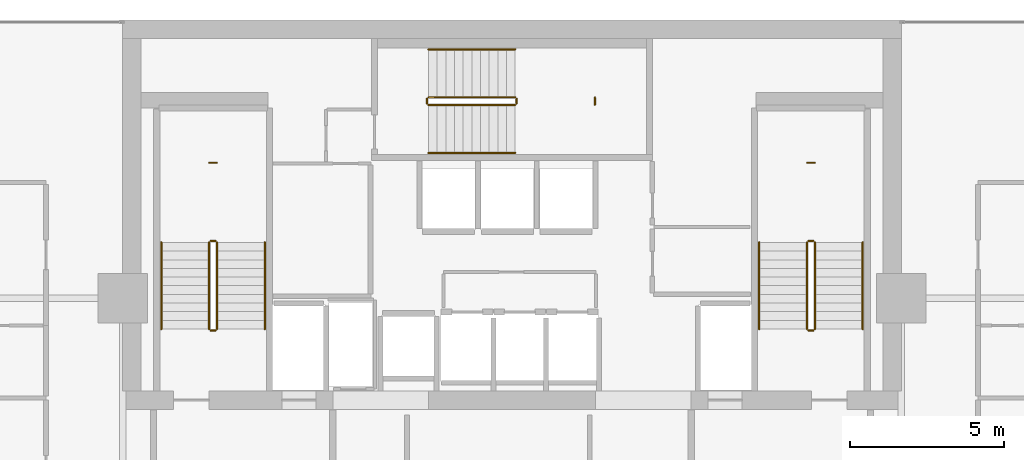
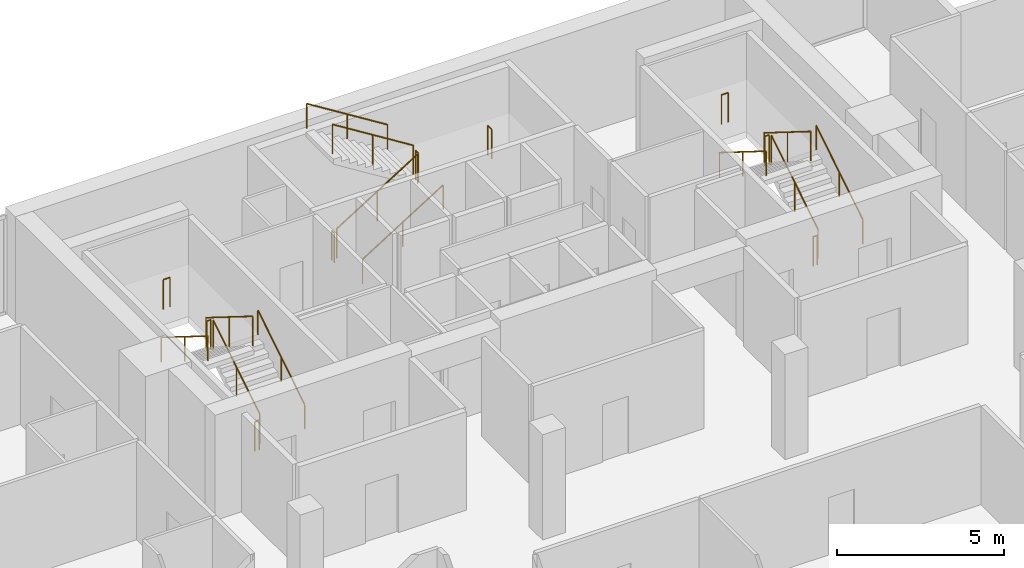
# One storey, part 25 of 25: 21 railings.
"""IFC4 building model written with IfcOpenShell, lengths in metres."""

import ifcopenshell
import ifcopenshell.guid

model = None  # the IFC model being written
_history = None  # IfcOwnerHistory: only IFC2X3 demands one
_inside = {}  # id of a spatial element -> (the spatial element, [elements in it])
_under = {}  # id of a project, library or spatial element -> (it, [spatial elements below it])
_declared = {}  # id of a project -> (the project, [libraries it declares])
_typed = {}  # id of a type object -> (the type object, [elements of that type])
_made_of = {}  # id of a material, layer set ... -> (it, [elements and type objects made of it])


def new_model(schema):
    """Start an empty IFC model of exactly this schema.

    Asked for "IFC4X3", IfcOpenShell would pick the latest addendum, in which some entities
    have other attributes; the version numbers below select the first issue.
    IFC2X3 requires an IfcOwnerHistory on every rooted entity: one is made here for all.
    """
    global model, _history
    if schema == "IFC4X3":
        model = ifcopenshell.file(schema_version=(4, 3, 0, 0))
    else:
        model = ifcopenshell.file(schema=schema)
    _inside.clear()
    _under.clear()
    _declared.clear()
    _typed.clear()
    _made_of.clear()
    _history = None
    if model.schema == "IFC2X3":
        org = make("IfcOrganization", Name="unknown")
        user = make(
            "IfcPersonAndOrganization",
            ThePerson=make("IfcPerson", FamilyName="unknown"),
            TheOrganization=org,
        )
        app = make(
            "IfcApplication",
            ApplicationDeveloper=org,
            Version="unknown",
            ApplicationFullName="unknown",
            ApplicationIdentifier="unknown",
        )
        _history = make(
            "IfcOwnerHistory",
            OwningUser=user,
            OwningApplication=app,
            ChangeAction="ADDED",
            CreationDate=0,
        )
    return model


def make(cls, **values):
    """One entity of the class cls with the attributes given. An attribute that is None is left unset."""
    return model.create_entity(
        cls, **{name: value for name, value in values.items() if value is not None}
    )


def rooted(cls, **values):
    """An entity with a GlobalId (a new one), such as an element, a storey or a relation."""
    return make(cls, GlobalId=ifcopenshell.guid.new(), OwnerHistory=_history, **values)


def si_unit(unit_type, name, prefix=None):
    """IfcSIUnit, for example si_unit("LENGTHUNIT", "METRE", prefix="MILLI")."""
    return make("IfcSIUnit", UnitType=unit_type, Prefix=prefix, Name=name)


def assignment(units):
    """IfcUnitAssignment: the units of a project."""
    return None if units is None else make("IfcUnitAssignment", Units=units)


def point(xyz):
    """IfcCartesianPoint."""
    return None if xyz is None else make("IfcCartesianPoint", Coordinates=xyz)


def direction(xyz):
    """IfcDirection."""
    return None if xyz is None else make("IfcDirection", DirectionRatios=xyz)


def frame(location, z_axis=None, x_axis=None):
    """IfcAxis2Placement3D, a coordinate frame: its origin and axes. An axis left out is left unset."""
    return make(
        "IfcAxis2Placement3D",
        Location=point(location),
        Axis=direction(z_axis),
        RefDirection=direction(x_axis),
    )


def frame_2d(location, x_axis=None):
    """IfcAxis2Placement2D, a coordinate frame in the plane: its origin and x axis."""
    return make(
        "IfcAxis2Placement2D", Location=point(location), RefDirection=direction(x_axis)
    )


def origin():
    """The frame at (0, 0, 0) with its axes left unset."""
    return frame((0.0, 0.0, 0.0))


def origin_2d():
    """The frame at (0, 0) in the plane with its x axis left unset."""
    return frame_2d((0.0, 0.0))


def place(relative_to, where):
    """IfcLocalPlacement: puts the frame where relative to a parent placement (None: the world)."""
    return make(
        "IfcLocalPlacement", PlacementRelTo=relative_to, RelativePlacement=where
    )


def context(
    kind, dimensions, precision=None, world=None, true_north=None, identifier=None
):
    """IfcGeometricRepresentationContext, for example the 3D "Model" context."""
    return make(
        "IfcGeometricRepresentationContext",
        ContextIdentifier=identifier,
        ContextType=kind,
        CoordinateSpaceDimension=dimensions,
        Precision=precision,
        WorldCoordinateSystem=world,
        TrueNorth=true_north,
    )


def subcontext(parent, identifier, kind, view, scale=None):
    """IfcGeometricRepresentationSubContext, for example "Body" below "Model"."""
    return make(
        "IfcGeometricRepresentationSubContext",
        ContextIdentifier=identifier,
        ContextType=kind,
        ParentContext=parent,
        TargetScale=scale,
        TargetView=view,
    )


def project(units=None, contexts=None):
    """IfcProject with its units and contexts."""
    return rooted(
        "IfcProject",
        Name="project",
        RepresentationContexts=contexts,
        UnitsInContext=assignment(units),
    )


def spatial(cls, under=None, at=None, **own):
    """A site, building, storey or space (cls), placed at a placement, below another one or the project."""
    s = rooted(cls, ObjectPlacement=at, **own)
    if under is not None:
        _under.setdefault(under.id(), (under, []))[1].append(s)
    return s


def profile(cls, at=None, kind="AREA", **sizes):
    """A parametric profile (cls). Its sizes go by their IFC names, for example OverallWidth=200.0."""
    return make(cls, ProfileType=kind, Position=at, **sizes)


def circle(**sizes):
    """IfcCircleProfileDef."""
    return profile("IfcCircleProfileDef", **sizes)


def extrude(swept, where, along, depth):
    """IfcExtrudedAreaSolid: the profile swept, set in the frame where, extruded along a direction by depth."""
    return make(
        "IfcExtrudedAreaSolid",
        SweptArea=swept,
        Position=where,
        ExtrudedDirection=direction(along),
        Depth=depth,
    )


def shape(context_of_items, identifier, shape_type, items):
    """IfcShapeRepresentation: the items that make up one representation, for example the "Body"."""
    return make(
        "IfcShapeRepresentation",
        ContextOfItems=context_of_items,
        RepresentationIdentifier=identifier,
        RepresentationType=shape_type,
        Items=items,
    )


def material(Name=None, Category=None):
    """IfcMaterial."""
    return make("IfcMaterial", Name=Name, Category=Category)


def made_of(thing, what):
    """Note that an element or type object is made of a material, layer set ...; save() writes the relation."""
    if what is not None:
        _made_of.setdefault(what.id(), (what, []))[1].append(thing)
    return thing


def type_object(cls, material=None, **own):
    """A type object (cls), such as IfcWallType, which elements share."""
    return made_of(rooted(cls, **own), material)


def element(
    cls,
    number,
    at=None,
    inside=None,
    cuts=None,
    type_object=None,
    material=None,
    context=None,
    identifier="Body",
    shape_type=None,
    held_by="IfcProductDefinitionShape",
    body=None,
    shapes=None,
    **own,
):
    """One element of the class cls, such as IfcWall. Its Tag is "e" and its number.

    at: its placement. inside: the storey or other place that contains it. cuts: it is an
    opening in that element (IfcRelVoidsElement). A single representation is given by context,
    identifier, shape_type and body (its items); several are given by shapes. held_by: the class
    of the entity that holds the representations. save() writes the other relations.
    """
    e = rooted(cls, Tag="e%d" % number, ObjectPlacement=at, **own)
    if body is not None:
        shapes = [shape(context, identifier, shape_type, body)]
    if shapes is not None:
        e.Representation = make(held_by, Representations=shapes)
    if inside is not None:
        _inside.setdefault(inside.id(), (inside, []))[1].append(e)
    if cuts is not None:
        rooted(
            "IfcRelVoidsElement", RelatingBuildingElement=cuts, RelatedOpeningElement=e
        )
    if type_object is not None:
        _typed.setdefault(type_object.id(), (type_object, []))[1].append(e)
    return made_of(e, material)


def aggregate(whole, parts):
    """IfcRelAggregates: a whole, such as a stair, and the parts it consists of."""
    return rooted("IfcRelAggregates", RelatingObject=whole, RelatedObjects=parts)


def save(model, path):
    """Write the relations noted so far, then the file.

    IfcRelAggregates (storeys below a building ...), IfcRelContainedInSpatialStructure (elements
    in a storey), IfcRelDefinesByType, IfcRelAssociatesMaterial and IfcRelDeclares: one each for
    every whole, place, type object, material and project.
    """
    for whole, parts in _under.values():
        aggregate(whole, parts)
    for where, things in _inside.values():
        rooted(
            "IfcRelContainedInSpatialStructure",
            RelatedElements=things,
            RelatingStructure=where,
        )
    for kind, things in _typed.values():
        rooted("IfcRelDefinesByType", RelatedObjects=things, RelatingType=kind)
    for what, things in _made_of.values():
        rooted("IfcRelAssociatesMaterial", RelatedObjects=things, RelatingMaterial=what)
    for by, libraries in _declared.values():
        rooted("IfcRelDeclares", RelatingContext=by, RelatedDefinitions=libraries)
    model.write(path)


model = new_model("IFC4")

# Units and contexts
model_context = context("Model", 3, precision=1e-05, world=origin(), true_north=direction((0.0, 1.0)))
body_context = subcontext(model_context, "Body", "Model", "MODEL_VIEW")
ifc_project = project(units=[si_unit("LENGTHUNIT", "METRE"), si_unit("AREAUNIT", "SQUARE_METRE"), si_unit("VOLUMEUNIT", "CUBIC_METRE"), si_unit("PLANEANGLEUNIT", "RADIAN"), si_unit("MASSUNIT", "GRAM", prefix="KILO")], contexts=[model_context])

# Site, building, storey
site_placement = place(None, origin())
site = spatial("IfcSite", under=ifc_project, at=site_placement, CompositionType="ELEMENT")
building_placement = place(site_placement, origin())
building = spatial("IfcBuilding", under=site, at=building_placement, Name="Maruvema Waterfront Hotel and Observation Tower", CompositionType="ELEMENT")
storey_placement = place(building_placement, frame((0.0, 0.0, 247.10009765625)))
storey = spatial("IfcBuildingStorey", under=building, at=storey_placement, Name="L60", CompositionType="ELEMENT", Elevation=247.10009765625)

# Railings
ifc_material_1 = material(Name="Brushed stainless steel Grade 316", Category="steel")
railing_type_1 = type_object("IfcRailingType", Name="Ramp Continuous Wall Handrail 920 mm", PredefinedType="HANDRAIL", material=ifc_material_1)
railing_1_placement = place(storey_placement, frame((29.800048828125, 44.0, 0.1748046875)))
element("IfcRailing", 1, at=railing_1_placement, inside=storey, type_object=railing_type_1, Name="L60 ST-01 stair handrail 1", PredefinedType="HANDRAIL", context=body_context, shape_type="SweptSolid", body=[
    extrude(circle(Radius=0.02392578125, at=origin_2d()), frame((0.0, 0.0, 0.89599609375), z_axis=(0.0, 0.848002457836, 0.529992293815), x_axis=(-1.0, 0.0, 0.0)), (0.0, 0.0, 1.0), 3.302001953125),
    extrude(circle(Radius=0.02099609375, at=origin_2d()), origin(), (0.0, 0.0, 1.0), 0.871826171875),
    extrude(circle(Radius=0.02099609375, at=origin_2d()), frame((0.0, 1.39990234375, 0.875)), (0.0, 0.0, 1.0), 0.871826171875),
    extrude(circle(Radius=0.02099609375, at=origin_2d()), frame((0.0, 2.800048828125, 1.75)), (0.0, 0.0, 1.0), 0.871826171875),
])
railing_2_placement = place(storey_placement, frame((26.449951171875, 46.800048828125, 2.099853515625)))
element("IfcRailing", 2, at=railing_2_placement, inside=storey, type_object=railing_type_1, Name="L60 ST-01 stair handrail 2", PredefinedType="HANDRAIL", context=body_context, shape_type="SweptSolid", body=[
    extrude(circle(Radius=0.02392578125, at=origin_2d()), frame((0.0, 0.0, 0.89599609375), z_axis=(0.0, -0.848002457836, 0.529992293815), x_axis=(1.0, 0.0, 0.0)), (0.0, 0.0, 1.0), 3.302001953125),
    extrude(circle(Radius=0.02099609375, at=origin_2d()), origin(), (0.0, 0.0, 1.0), 0.871826171875),
    extrude(circle(Radius=0.02099609375, at=origin_2d()), frame((0.0, -1.39990234375, 0.875)), (0.0, 0.0, 1.0), 0.871826171875),
    extrude(circle(Radius=0.02099609375, at=origin_2d()), frame((0.0, -2.800048828125, 1.75)), (0.0, 0.0, 1.0), 0.871826171875),
])
railing_3_placement = place(storey_placement, frame((35.10009765625, 49.699951171875, 0.1748046875)))
element("IfcRailing", 3, at=railing_3_placement, inside=storey, type_object=railing_type_1, Name="L60 ST-02 stair handrail 1", PredefinedType="HANDRAIL", context=body_context, shape_type="SweptSolid", body=[
    extrude(circle(Radius=0.02392578125, at=origin_2d()), frame((0.0, 0.0, 0.89599609375), z_axis=(0.847981687118, 0.0, 0.530025526095), x_axis=(0.0, 1.0, 0.0)), (0.0, 0.0, 1.0), 3.3017578125),
    extrude(circle(Radius=0.02099609375, at=origin_2d()), origin(), (0.0, 0.0, 1.0), 0.871826171875),
    extrude(circle(Radius=0.02099609375, at=origin_2d()), frame((1.39990234375, 0.0, 0.875)), (0.0, 0.0, 1.0), 0.871826171875),
    extrude(circle(Radius=0.02099609375, at=origin_2d()), frame((2.7998046875, 0.0, 1.75)), (0.0, 0.0, 1.0), 0.871826171875),
])
railing_4_placement = place(storey_placement, frame((37.89990234375, 53.050048828125, 2.099853515625)))
element("IfcRailing", 4, at=railing_4_placement, inside=storey, type_object=railing_type_1, Name="L60 ST-02 stair handrail 2", PredefinedType="HANDRAIL", context=body_context, shape_type="SweptSolid", body=[
    extrude(circle(Radius=0.02392578125, at=origin_2d()), frame((0.0, 0.0, 0.89599609375), z_axis=(-0.847981687118, 0.0, 0.530025526095), x_axis=(0.0, -1.0, 0.0)), (0.0, 0.0, 1.0), 3.3017578125),
    extrude(circle(Radius=0.02099609375, at=origin_2d()), origin(), (0.0, 0.0, 1.0), 0.871826171875),
    extrude(circle(Radius=0.02099609375, at=origin_2d()), frame((-1.39990234375, 0.0, 0.875)), (0.0, 0.0, 1.0), 0.871826171875),
    extrude(circle(Radius=0.02099609375, at=origin_2d()), frame((-2.7998046875, 0.0, 1.75)), (0.0, 0.0, 1.0), 0.871826171875),
])
railing_5_placement = place(storey_placement, frame((49.14990234375, 44.0, 0.1748046875)))
element("IfcRailing", 5, at=railing_5_placement, inside=storey, type_object=railing_type_1, Name="L60 ST-03 stair handrail 1", PredefinedType="HANDRAIL", context=body_context, shape_type="SweptSolid", body=[
    extrude(circle(Radius=0.02392578125, at=origin_2d()), frame((0.0, 0.0, 0.89599609375), z_axis=(0.0, 0.848002457836, 0.529992293815), x_axis=(-1.0, 0.0, 0.0)), (0.0, 0.0, 1.0), 3.302001953125),
    extrude(circle(Radius=0.02099609375, at=origin_2d()), origin(), (0.0, 0.0, 1.0), 0.871826171875),
    extrude(circle(Radius=0.02099609375, at=origin_2d()), frame((0.0, 1.39990234375, 0.875)), (0.0, 0.0, 1.0), 0.871826171875),
    extrude(circle(Radius=0.02099609375, at=origin_2d()), frame((0.0, 2.800048828125, 1.75)), (0.0, 0.0, 1.0), 0.871826171875),
])
railing_6_placement = place(storey_placement, frame((45.800048828125, 46.800048828125, 2.099853515625)))
element("IfcRailing", 6, at=railing_6_placement, inside=storey, type_object=railing_type_1, Name="L60 ST-03 stair handrail 2", PredefinedType="HANDRAIL", context=body_context, shape_type="SweptSolid", body=[
    extrude(circle(Radius=0.02392578125, at=origin_2d()), frame((0.0, 0.0, 0.89599609375), z_axis=(0.0, -0.848002457836, 0.529992293815), x_axis=(1.0, 0.0, 0.0)), (0.0, 0.0, 1.0), 3.302001953125),
    extrude(circle(Radius=0.02099609375, at=origin_2d()), origin(), (0.0, 0.0, 1.0), 0.871826171875),
    extrude(circle(Radius=0.02099609375, at=origin_2d()), frame((0.0, -1.39990234375, 0.875)), (0.0, 0.0, 1.0), 0.871826171875),
    extrude(circle(Radius=0.02099609375, at=origin_2d()), frame((0.0, -2.800048828125, 1.75)), (0.0, 0.0, 1.0), 0.871826171875),
])
ifc_material_2 = material(Name="Brushed stainless steel Grade 316", Category="steel")
railing_type_2 = type_object("IfcRailingType", Name="Ramp and Terrace Guard Balustrade 1100 mm", PredefinedType="BALUSTRADE", material=ifc_material_2)
railing_7_placement = place(storey_placement, frame((28.25, 44.0, 0.1748046875)))
element("IfcRailing", 7, at=railing_7_placement, inside=storey, type_object=railing_type_2, Name="L60 ST-01 stair guard 1", PredefinedType="BALUSTRADE", context=body_context, shape_type="SweptSolid", body=[
    extrude(circle(Radius=0.02392578125, at=origin_2d()), frame((0.0, 0.0, 1.076171875), z_axis=(0.0, 0.848002457836, 0.529992293815), x_axis=(-1.0, 0.0, 0.0)), (0.0, 0.0, 1.0), 3.302001953125),
    extrude(circle(Radius=0.02099609375, at=origin_2d()), origin(), (0.0, 0.0, 1.0), 1.052001953125),
    extrude(circle(Radius=0.02099609375, at=origin_2d()), frame((0.0, 1.39990234375, 0.875)), (0.0, 0.0, 1.0), 1.052001953125),
    extrude(circle(Radius=0.02099609375, at=origin_2d()), frame((0.0, 2.800048828125, 1.75)), (0.0, 0.0, 1.0), 1.052001953125),
])
railing_8_placement = place(storey_placement, frame((28.199951171875, 46.85009765625, 1.9248046875)))
element("IfcRailing", 8, at=railing_8_placement, inside=storey, type_object=railing_type_2, Name="L60 ST-01 stair guard 2", PredefinedType="BALUSTRADE", context=body_context, shape_type="SweptSolid", body=[
    extrude(circle(Radius=0.02392578125, at=origin_2d()), frame((0.0, 0.0, 1.076171875), z_axis=(-1.0, 0.0, 0.0), x_axis=(0.0, -1.0, 0.0)), (0.0, 0.0, 1.0), 0.14990234375),
    extrude(circle(Radius=0.02099609375, at=origin_2d()), origin(), (0.0, 0.0, 1.0), 1.052001953125),
    extrude(circle(Radius=0.02099609375, at=origin_2d()), frame((-0.14990234375, 0.0, 0.0)), (0.0, 0.0, 1.0), 1.052001953125),
])
railing_9_placement = place(storey_placement, frame((28.0, 46.800048828125, 2.099853515625)))
element("IfcRailing", 9, at=railing_9_placement, inside=storey, type_object=railing_type_2, Name="L60 ST-01 stair guard 3", PredefinedType="BALUSTRADE", context=body_context, shape_type="SweptSolid", body=[
    extrude(circle(Radius=0.02392578125, at=origin_2d()), frame((0.0, 0.0, 1.076171875), z_axis=(0.0, -0.848002457836, 0.529992293815), x_axis=(1.0, 0.0, 0.0)), (0.0, 0.0, 1.0), 3.302001953125),
    extrude(circle(Radius=0.02099609375, at=origin_2d()), origin(), (0.0, 0.0, 1.0), 1.052001953125),
    extrude(circle(Radius=0.02099609375, at=origin_2d()), frame((0.0, -1.39990234375, 0.875)), (0.0, 0.0, 1.0), 1.052001953125),
    extrude(circle(Radius=0.02099609375, at=origin_2d()), frame((0.0, -2.800048828125, 1.75)), (0.0, 0.0, 1.0), 1.052001953125),
])
railing_10_placement = place(storey_placement, frame((28.199951171875, 43.949951171875, 0.0)))
element("IfcRailing", 10, at=railing_10_placement, inside=storey, type_object=railing_type_2, Name="L60 ST-01 stair guard 4", PredefinedType="BALUSTRADE", context=body_context, shape_type="SweptSolid", body=[
    extrude(circle(Radius=0.02392578125, at=origin_2d()), frame((0.0, 0.0, 1.076171875), z_axis=(-1.0, 0.0, 0.0), x_axis=(0.0, -1.0, 0.0)), (0.0, 0.0, 1.0), 0.14990234375),
    extrude(circle(Radius=0.02099609375, at=origin_2d()), origin(), (0.0, 0.0, 1.0), 1.052001953125),
    extrude(circle(Radius=0.02099609375, at=origin_2d()), frame((-0.14990234375, 0.0, 0.0)), (0.0, 0.0, 1.0), 1.052001953125),
])
railing_11_placement = place(storey_placement, frame((28.239990234375, 49.3798828125, 1.9248046875)))
element("IfcRailing", 11, at=railing_11_placement, inside=storey, type_object=railing_type_2, Name="L60 ST-01 Half-Landing Slot Guard", PredefinedType="BALUSTRADE", context=body_context, shape_type="SweptSolid", body=[
    extrude(circle(Radius=0.02392578125, at=origin_2d()), frame((0.0, 0.0, 1.076171875), z_axis=(-1.0, 0.0, 0.0), x_axis=(0.0, -1.0, 0.0)), (0.0, 0.0, 1.0), 0.22998046875),
    extrude(circle(Radius=0.02099609375, at=origin_2d()), origin(), (0.0, 0.0, 1.0), 1.052001953125),
    extrude(circle(Radius=0.02099609375, at=origin_2d()), frame((-0.22998046875, 0.0, 0.0)), (0.0, 0.0, 1.0), 1.052001953125),
])
railing_12_placement = place(storey_placement, frame((35.10009765625, 51.25, 0.1748046875)))
element("IfcRailing", 12, at=railing_12_placement, inside=storey, type_object=railing_type_2, Name="L60 ST-02 stair guard 1", PredefinedType="BALUSTRADE", context=body_context, shape_type="SweptSolid", body=[
    extrude(circle(Radius=0.02392578125, at=origin_2d()), frame((0.0, 0.0, 1.076171875), z_axis=(0.847981687118, 0.0, 0.530025526095), x_axis=(0.0, 1.0, 0.0)), (0.0, 0.0, 1.0), 3.3017578125),
    extrude(circle(Radius=0.02099609375, at=origin_2d()), origin(), (0.0, 0.0, 1.0), 1.052001953125),
    extrude(circle(Radius=0.02099609375, at=origin_2d()), frame((1.39990234375, 0.0, 0.875)), (0.0, 0.0, 1.0), 1.052001953125),
    extrude(circle(Radius=0.02099609375, at=origin_2d()), frame((2.7998046875, 0.0, 1.75)), (0.0, 0.0, 1.0), 1.052001953125),
])
railing_13_placement = place(storey_placement, frame((37.949951171875, 51.300048828125, 1.9248046875)))
element("IfcRailing", 13, at=railing_13_placement, inside=storey, type_object=railing_type_2, Name="L60 ST-02 stair guard 2", PredefinedType="BALUSTRADE", context=body_context, shape_type="SweptSolid", body=[
    extrude(circle(Radius=0.02392578125, at=origin_2d()), frame((0.0, 0.0, 1.076171875), z_axis=(0.0, 1.0, 0.0), x_axis=(-1.0, 0.0, 0.0)), (0.0, 0.0, 1.0), 0.14990234375),
    extrude(circle(Radius=0.02099609375, at=origin_2d()), origin(), (0.0, 0.0, 1.0), 1.052001953125),
    extrude(circle(Radius=0.02099609375, at=origin_2d()), frame((0.0, 0.14990234375, 0.0)), (0.0, 0.0, 1.0), 1.052001953125),
])
railing_14_placement = place(storey_placement, frame((37.89990234375, 51.5, 2.099853515625)))
element("IfcRailing", 14, at=railing_14_placement, inside=storey, type_object=railing_type_2, Name="L60 ST-02 stair guard 3", PredefinedType="BALUSTRADE", context=body_context, shape_type="SweptSolid", body=[
    extrude(circle(Radius=0.02392578125, at=origin_2d()), frame((0.0, 0.0, 1.076171875), z_axis=(-0.847981687118, 0.0, 0.530025526095), x_axis=(0.0, -1.0, 0.0)), (0.0, 0.0, 1.0), 3.3017578125),
    extrude(circle(Radius=0.02099609375, at=origin_2d()), origin(), (0.0, 0.0, 1.0), 1.052001953125),
    extrude(circle(Radius=0.02099609375, at=origin_2d()), frame((-1.39990234375, 0.0, 0.875)), (0.0, 0.0, 1.0), 1.052001953125),
    extrude(circle(Radius=0.02099609375, at=origin_2d()), frame((-2.7998046875, 0.0, 1.75)), (0.0, 0.0, 1.0), 1.052001953125),
])
railing_15_placement = place(storey_placement, frame((35.050048828125, 51.300048828125, 0.0)))
element("IfcRailing", 15, at=railing_15_placement, inside=storey, type_object=railing_type_2, Name="L60 ST-02 stair guard 4", PredefinedType="BALUSTRADE", context=body_context, shape_type="SweptSolid", body=[
    extrude(circle(Radius=0.02392578125, at=origin_2d()), frame((0.0, 0.0, 1.076171875), z_axis=(0.0, 1.0, 0.0), x_axis=(-1.0, 0.0, 0.0)), (0.0, 0.0, 1.0), 0.14990234375),
    extrude(circle(Radius=0.02099609375, at=origin_2d()), origin(), (0.0, 0.0, 1.0), 1.052001953125),
    extrude(circle(Radius=0.02099609375, at=origin_2d()), frame((0.0, 0.14990234375, 0.0)), (0.0, 0.0, 1.0), 1.052001953125),
])
railing_16_placement = place(storey_placement, frame((40.47998046875, 51.260009765625, 1.9248046875)))
element("IfcRailing", 16, at=railing_16_placement, inside=storey, type_object=railing_type_2, Name="L60 ST-02 Half-Landing Slot Guard", PredefinedType="BALUSTRADE", context=body_context, shape_type="SweptSolid", body=[
    extrude(circle(Radius=0.02392578125, at=origin_2d()), frame((0.0, 0.0, 1.076171875), z_axis=(0.0, 1.0, 0.0), x_axis=(-1.0, 0.0, 0.0)), (0.0, 0.0, 1.0), 0.22998046875),
    extrude(circle(Radius=0.02099609375, at=origin_2d()), origin(), (0.0, 0.0, 1.0), 1.052001953125),
    extrude(circle(Radius=0.02099609375, at=origin_2d()), frame((0.0, 0.22998046875, 0.0)), (0.0, 0.0, 1.0), 1.052001953125),
])
railing_17_placement = place(storey_placement, frame((47.60009765625, 44.0, 0.1748046875)))
element("IfcRailing", 17, at=railing_17_placement, inside=storey, type_object=railing_type_2, Name="L60 ST-03 stair guard 1", PredefinedType="BALUSTRADE", context=body_context, shape_type="SweptSolid", body=[
    extrude(circle(Radius=0.02392578125, at=origin_2d()), frame((0.0, 0.0, 1.076171875), z_axis=(0.0, 0.848002457836, 0.529992293815), x_axis=(-1.0, 0.0, 0.0)), (0.0, 0.0, 1.0), 3.302001953125),
    extrude(circle(Radius=0.02099609375, at=origin_2d()), origin(), (0.0, 0.0, 1.0), 1.052001953125),
    extrude(circle(Radius=0.02099609375, at=origin_2d()), frame((0.0, 1.39990234375, 0.875)), (0.0, 0.0, 1.0), 1.052001953125),
    extrude(circle(Radius=0.02099609375, at=origin_2d()), frame((0.0, 2.800048828125, 1.75)), (0.0, 0.0, 1.0), 1.052001953125),
])
railing_18_placement = place(storey_placement, frame((47.550048828125, 46.85009765625, 1.9248046875)))
element("IfcRailing", 18, at=railing_18_placement, inside=storey, type_object=railing_type_2, Name="L60 ST-03 stair guard 2", PredefinedType="BALUSTRADE", context=body_context, shape_type="SweptSolid", body=[
    extrude(circle(Radius=0.02392578125, at=origin_2d()), frame((0.0, 0.0, 1.076171875), z_axis=(-1.0, 0.0, 0.0), x_axis=(0.0, -1.0, 0.0)), (0.0, 0.0, 1.0), 0.150146484375),
    extrude(circle(Radius=0.02099609375, at=origin_2d()), origin(), (0.0, 0.0, 1.0), 1.052001953125),
    extrude(circle(Radius=0.02099609375, at=origin_2d()), frame((-0.150146484375, 0.0, 0.0)), (0.0, 0.0, 1.0), 1.052001953125),
])
railing_19_placement = place(storey_placement, frame((47.35009765625, 46.800048828125, 2.099853515625)))
element("IfcRailing", 19, at=railing_19_placement, inside=storey, type_object=railing_type_2, Name="L60 ST-03 stair guard 3", PredefinedType="BALUSTRADE", context=body_context, shape_type="SweptSolid", body=[
    extrude(circle(Radius=0.02392578125, at=origin_2d()), frame((0.0, 0.0, 1.076171875), z_axis=(0.0, -0.848002457836, 0.529992293815), x_axis=(1.0, 0.0, 0.0)), (0.0, 0.0, 1.0), 3.302001953125),
    extrude(circle(Radius=0.02099609375, at=origin_2d()), origin(), (0.0, 0.0, 1.0), 1.052001953125),
    extrude(circle(Radius=0.02099609375, at=origin_2d()), frame((0.0, -1.39990234375, 0.875)), (0.0, 0.0, 1.0), 1.052001953125),
    extrude(circle(Radius=0.02099609375, at=origin_2d()), frame((0.0, -2.800048828125, 1.75)), (0.0, 0.0, 1.0), 1.052001953125),
])
railing_20_placement = place(storey_placement, frame((47.550048828125, 43.949951171875, 0.0)))
element("IfcRailing", 20, at=railing_20_placement, inside=storey, type_object=railing_type_2, Name="L60 ST-03 stair guard 4", PredefinedType="BALUSTRADE", context=body_context, shape_type="SweptSolid", body=[
    extrude(circle(Radius=0.02392578125, at=origin_2d()), frame((0.0, 0.0, 1.076171875), z_axis=(-1.0, 0.0, 0.0), x_axis=(0.0, -1.0, 0.0)), (0.0, 0.0, 1.0), 0.150146484375),
    extrude(circle(Radius=0.02099609375, at=origin_2d()), origin(), (0.0, 0.0, 1.0), 1.052001953125),
    extrude(circle(Radius=0.02099609375, at=origin_2d()), frame((-0.150146484375, 0.0, 0.0)), (0.0, 0.0, 1.0), 1.052001953125),
])
railing_21_placement = place(storey_placement, frame((47.590087890625, 49.3798828125, 1.9248046875)))
element("IfcRailing", 21, at=railing_21_placement, inside=storey, type_object=railing_type_2, Name="L60 ST-03 Half-Landing Slot Guard", PredefinedType="BALUSTRADE", context=body_context, shape_type="SweptSolid", body=[
    extrude(circle(Radius=0.02392578125, at=origin_2d()), frame((0.0, 0.0, 1.076171875), z_axis=(-1.0, 0.0, 0.0), x_axis=(0.0, -1.0, 0.0)), (0.0, 0.0, 1.0), 0.22998046875),
    extrude(circle(Radius=0.02099609375, at=origin_2d()), origin(), (0.0, 0.0, 1.0), 1.052001953125),
    extrude(circle(Radius=0.02099609375, at=origin_2d()), frame((-0.22998046875, 0.0, 0.0)), (0.0, 0.0, 1.0), 1.052001953125),
])

save(model, "model.ifc")
